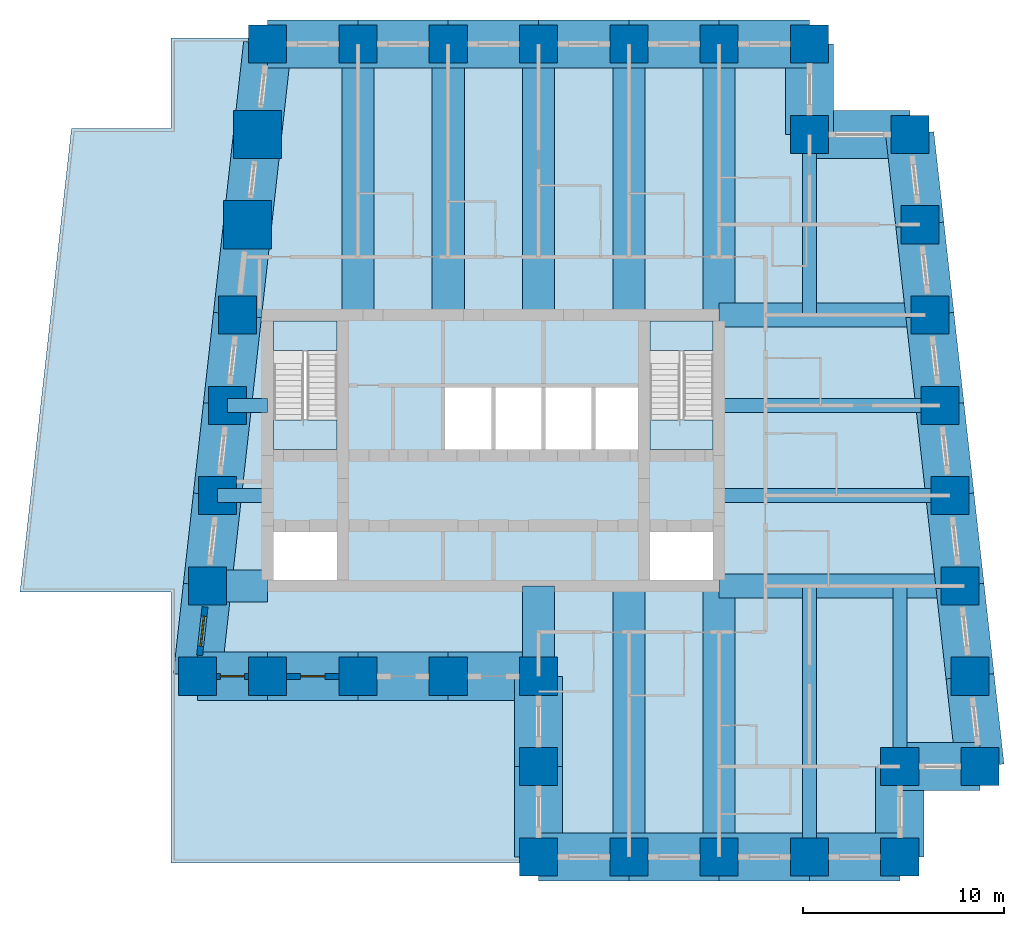
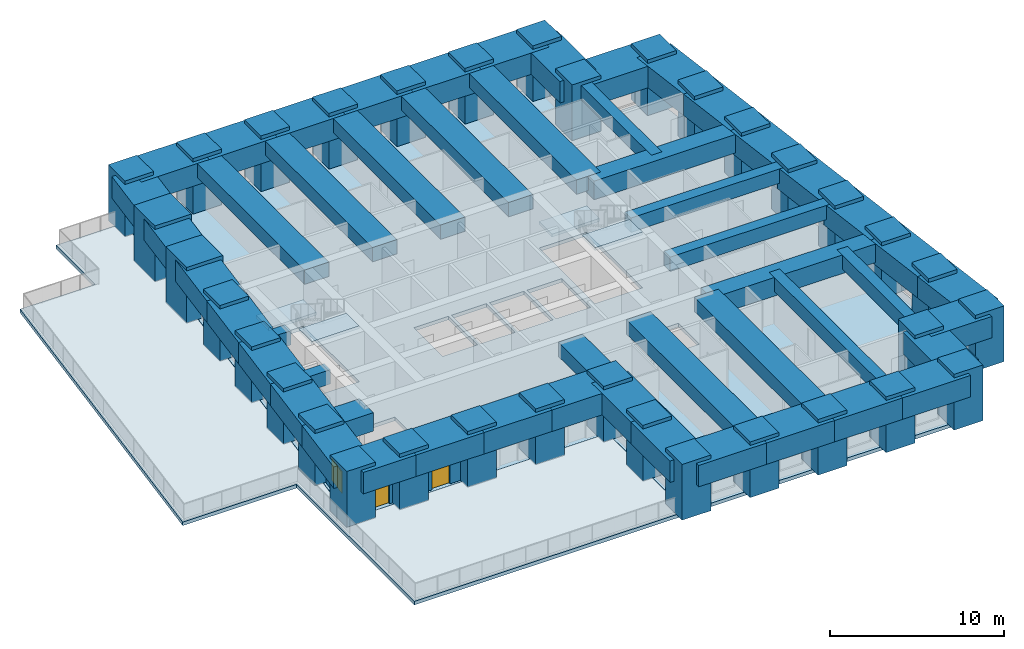
# One storey, part 1 of 7: 52 beams, 34 columns, 6 slabs, 3 walls, 2 doors, 1 window, 3 openings, 2 elements without a shape of their own.
"""IFC4 building model written with IfcOpenShell, lengths in metres."""

from ifc_helpers import new_model, si_unit, direction, frame, frame_2d, origin, origin_2d, place, context, subcontext, project, spatial, polyline, rectangle, outline, extrude, material, layer, layer_set, material_profile, profile_set, type_object, element, fill, aggregate, save


model = new_model("IFC4")

# Units and contexts
model_context = context("Model", 3, precision=1e-05, world=origin(), true_north=direction((0.0, 1.0)))
body_context = subcontext(model_context, "Body", "Model", "MODEL_VIEW")
ifc_project = project(units=[si_unit("LENGTHUNIT", "METRE"), si_unit("AREAUNIT", "SQUARE_METRE"), si_unit("VOLUMEUNIT", "CUBIC_METRE"), si_unit("PLANEANGLEUNIT", "RADIAN"), si_unit("MASSUNIT", "GRAM", prefix="KILO")], contexts=[model_context])

# Site, building, storey
site_placement = place(None, origin())
site = spatial("IfcSite", under=ifc_project, at=site_placement, CompositionType="ELEMENT")
building_placement = place(site_placement, origin())
building = spatial("IfcBuilding", under=site, at=building_placement, Name="Kilele Tower Hotel", CompositionType="ELEMENT")
storey_placement = place(building_placement, frame((0.0, 0.0, 217.39990234375)))
storey = spatial("IfcBuildingStorey", under=building, at=storey_placement, Name="L56", CompositionType="ELEMENT", Elevation=217.39990234375)

# Columns
ifc_material_1 = material(Name="Concrete C60/75", Category="concrete")
ifc_material_profile_1 = material_profile(ifc_material_1, rectangle(XDim=1.89990234375, YDim=1.89990234375, at=origin_2d()))
ifc_profile_set_1 = profile_set([ifc_material_profile_1], Name="Concrete C60/75")
column_type_1 = type_object("IfcColumnType", Name="Tube column RC 1900x1900 C60/75", PredefinedType="COLUMN", material=ifc_profile_set_1)
for number, where, z_axis, x_axis, name in (
    (1, (10.0, 9.0, 0.0), (0.0, 0.0, 1.0), (1.0, 0.0, 0.0), "Column TC3 L56"),
    (2, (13.5, 9.0, 0.0), (0.0, 0.0, 1.0), (1.0, 0.0, 0.0), "Column TC3 L56"),
    (3, (18.0, 9.0, 0.0), (0.0, 0.0, 1.0), (1.0, 0.0, 0.0), "Column TC3 L56"),
    (4, (22.5, 9.0, 0.0), (0.0, 0.0, 1.0), (1.0, 0.0, 0.0), "Column TC3 L56"),
    (5, (27.0, 9.0, 0.0), (0.0, 0.0, 1.0), (1.0, 0.0, 0.0), "Column TC3 L56"),
    (6, (27.0, 4.5, 0.0), (0.0, 0.0, 1.0), (1.0, 0.0, 0.0), "Column TC3 L56"),
    (7, (27.0, 0.0, 0.0), (0.0, 0.0, 1.0), (1.0, 0.0, 0.0), "Column TC3 L56"),
    (8, (31.5, 0.0, 0.0), (0.0, 0.0, 1.0), (1.0, 0.0, 0.0), "Column TC3 L56"),
    (9, (36.0, 0.0, 0.0), (0.0, 0.0, 1.0), (1.0, 0.0, 0.0), "Column TC3 L56"),
    (10, (40.5, 0.0, 0.0), (0.0, 0.0, 1.0), (1.0, 0.0, 0.0), "Column TC3 L56"),
    (11, (45.0, 0.0, 0.0), (0.0, 0.0, 1.0), (1.0, 0.0, 0.0), "Column TC3 L56"),
    (12, (45.0, 4.5, 0.0), (0.0, 0.0, 1.0), (1.0, 0.0, 0.0), "Column TC3 L56"),
    (13, (49.0, 4.5, 0.0), (0.0, 0.0, 1.0), (1.0, 0.0, 0.0), "Column TC3 L56"),
    (14, (48.5, 9.0, 0.0), (0.0, 0.0, 1.0), (1.0, 0.0, 0.0), "Column TC3 L56"),
    (15, (48.0, 13.5, 0.0), (0.0, 0.0, 1.0), (1.0, 0.0, 0.0), "Column TC3 L56"),
    (16, (47.5, 18.0, 0.0), (0.0, 0.0, 1.0), (1.0, 0.0, 0.0), "Column TC3 L56"),
    (17, (47.0, 22.5, 0.0), (0.0, 0.0, 1.0), (1.0, 0.0, 0.0), "Column TC3 L56"),
    (18, (46.5, 27.0, 0.0), (0.0, 0.0, 1.0), (1.0, 0.0, 0.0), "Column TC3 L56"),
    (19, (46.0, 31.5, 0.0), (0.0, 0.0, 1.0), (1.0, 0.0, 0.0), "Column TC3 L56"),
    (20, (45.5, 36.0, 0.0), (0.0, 0.0, 1.0), (1.0, 0.0, 0.0), "Column TC3 L56"),
    (21, (40.5, 36.0, 0.0), (0.0, 0.0, 1.0), (1.0, 0.0, 0.0), "Column TC3 L56"),
    (22, (40.5, 40.5, 0.0), (0.0, 0.0, 1.0), (1.0, 0.0, 0.0), "Column TC3 L56"),
    (23, (36.0, 40.5, 0.0), (0.0, 0.0, 1.0), (1.0, 0.0, 0.0), "Column TC3 L56"),
    (24, (31.5, 40.5, 0.0), (0.0, 0.0, 1.0), (1.0, 0.0, 0.0), "Column TC3 L56"),
    (25, (27.0, 40.5, 0.0), (0.0, 0.0, 1.0), (1.0, 0.0, 0.0), "Column TC3 L56"),
    (26, (22.5, 40.5, 0.0), (0.0, 0.0, 1.0), (1.0, 0.0, 0.0), "Column TC3 L56"),
    (27, (18.0, 40.5, 0.0), (0.0, 0.0, 1.0), (1.0, 0.0, 0.0), "Column TC3 L56"),
    (28, (13.5, 40.5, 0.0), (0.0, 0.0, 1.0), (1.0, 0.0, 0.0), "Column TC3 L56"),
    (29, (12.0, 27.0, 0.0), (0.0, 0.0, 1.0), (1.0, 0.0, 0.0), "Column TC3 L56"),
    (30, (11.5, 22.5, 0.0), (0.0, 0.0, 1.0), (1.0, 0.0, 0.0), "Column TC3 L56"),
    (31, (11.0, 18.0, 0.0), (0.0, 0.0, 1.0), (1.0, 0.0, 0.0), "Column TC3 L56"),
    (32, (10.5, 13.5, 0.0), (0.0, 0.0, 1.0), (1.0, 0.0, 0.0), "Column TC3 L56"),
):
    element("IfcColumn", number, at=place(storey_placement, frame(where, z_axis=z_axis, x_axis=x_axis)), inside=storey, type_object=column_type_1, Name=name, PredefinedType="COLUMN", context=body_context, shape_type="SweptSolid", body=[
        extrude(rectangle(XDim=1.89990234375, YDim=1.89990234375, at=origin_2d()), origin(), (0.0, 0.0, 1.0), 3.900146484375),
    ])
ifc_material_2 = material(Name="Concrete C60/75", Category="concrete")
ifc_material_profile_2 = material_profile(ifc_material_2, rectangle(XDim=2.39990234375, YDim=2.39990234375, at=origin_2d()))
ifc_profile_set_2 = profile_set([ifc_material_profile_2], Name="Concrete C60/75")
column_type_2 = type_object("IfcColumnType", Name="Tube column RC 2400x2400 C60/75", PredefinedType="COLUMN", material=ifc_profile_set_2)
for number, where, z_axis, x_axis, name in (
    (33, (13.0, 36.0, 0.0), (0.0, 0.0, 1.0), (1.0, 0.0, 0.0), "Column TC13 L56"),
    (34, (12.5, 31.5, 0.0), (0.0, 0.0, 1.0), (1.0, 0.0, 0.0), "Column TC13 L56"),
):
    element("IfcColumn", number, at=place(storey_placement, frame(where, z_axis=z_axis, x_axis=x_axis)), inside=storey, type_object=column_type_2, Name=name, PredefinedType="COLUMN", context=body_context, shape_type="SweptSolid", body=[
        extrude(rectangle(XDim=2.39990234375, YDim=2.39990234375, at=origin_2d()), origin(), (0.0, 0.0, 1.0), 3.900146484375),
    ])

# Beams
ifc_material_3 = material(Name="Concrete C60/75", Category="concrete")
ifc_material_profile_3 = material_profile(ifc_material_3, rectangle(XDim=1.60009765625, YDim=1.0, at=origin_2d()))
ifc_profile_set_3 = profile_set([ifc_material_profile_3], Name="Concrete C60/75")
beam_type_1 = type_object("IfcBeamType", Name="Beam RC 1600x1000 C60/75", PredefinedType="BEAM", material=ifc_profile_set_3)
for number, where, z_axis, x_axis, name in (
    (35, (31.5, 0.0, 3.150146484375), (0.0, 1.0, 0.0), (-1.0, 0.0, 0.0), "Beam BC1 level L57"),
    (36, (36.0, 0.0, 3.150146484375), (0.0, 1.0, 0.0), (-1.0, 0.0, 0.0), "Beam BC1 level L57"),
    (37, (36.0, 40.5, 3.150146484375), (0.0, -1.0, 0.0), (1.0, 0.0, 0.0), "Beam BC1 level L57"),
    (38, (31.5, 40.5, 3.150146484375), (0.0, -1.0, 0.0), (1.0, 0.0, 0.0), "Beam BC1 level L57"),
    (39, (27.0, 40.5, 3.150146484375), (0.0, -1.0, 0.0), (1.0, 0.0, 0.0), "Beam BC1 level L57"),
    (40, (22.5, 40.5, 3.150146484375), (0.0, -1.0, 0.0), (1.0, 0.0, 0.0), "Beam BC1 level L57"),
    (41, (18.0, 40.5, 3.150146484375), (0.0, -1.0, 0.0), (1.0, 0.0, 0.0), "Beam BC1 level L57"),
):
    element("IfcBeam", number, at=place(storey_placement, frame(where, z_axis=z_axis, x_axis=x_axis)), inside=storey, type_object=beam_type_1, Name=name, PredefinedType="BEAM", context=body_context, shape_type="SweptSolid", body=[
        extrude(rectangle(XDim=1.60009765625, YDim=1.0, at=origin_2d()), origin(), (0.0, 0.0, 1.0), 13.5),
    ])
ifc_material_4 = material(Name="Concrete C60/75", Category="concrete")
ifc_material_profile_4 = material_profile(ifc_material_4, rectangle(XDim=1.60009765625, YDim=1.0, at=origin_2d()))
ifc_profile_set_4 = profile_set([ifc_material_profile_4], Name="Concrete C60/75")
beam_type_2 = type_object("IfcBeamType", Name="Beam RC 1600x1000 C60/75 short span over transfer", PredefinedType="BEAM", material=ifc_profile_set_4)
beam_1_placement = place(storey_placement, frame((27.0, 9.0, 3.150146484375), z_axis=(0.0, 1.0, 0.0), x_axis=(-1.0, 0.0, 0.0)))
element("IfcBeam", 42, at=beam_1_placement, inside=storey, type_object=beam_type_2, Name="Beam BC3 level L57", PredefinedType="BEAM", context=body_context, shape_type="SweptSolid", body=[
    extrude(rectangle(XDim=1.60009765625, YDim=1.0, at=origin_2d()), origin(), (0.0, 0.0, 1.0), 4.5),
])
ifc_material_5 = material(Name="Concrete C60/75", Category="concrete")
ifc_material_profile_5 = material_profile(ifc_material_5, rectangle(XDim=0.699951171875, YDim=1.0, at=origin_2d()))
ifc_profile_set_5 = profile_set([ifc_material_profile_5], Name="Concrete C60/75")
beam_type_3 = type_object("IfcBeamType", Name="Beam RC 700x1000 C60/75", PredefinedType="BEAM", material=ifc_profile_set_5)
beam_2_placement = place(storey_placement, frame((40.5, 0.0, 3.150146484375), z_axis=(0.0, 1.0, 0.0), x_axis=(-1.0, 0.0, 0.0)))
element("IfcBeam", 43, at=beam_2_placement, inside=storey, type_object=beam_type_3, Name="Beam B4 level L57", PredefinedType="BEAM", context=body_context, shape_type="SweptSolid", body=[
    extrude(rectangle(XDim=0.699951171875, YDim=1.0, at=origin_2d()), origin(), (0.0, 0.0, 1.0), 13.5),
])
ifc_material_6 = material(Name="Concrete C60/75", Category="concrete")
ifc_material_profile_6 = material_profile(ifc_material_6, rectangle(XDim=0.699951171875, YDim=1.0, at=origin_2d()))
ifc_profile_set_6 = profile_set([ifc_material_profile_6], Name="Concrete C60/75")
beam_type_4 = type_object("IfcBeamType", Name="Beam RC 700x1000 C60/75 mid span", PredefinedType="BEAM", material=ifc_profile_set_6)
beam_3_placement = place(storey_placement, frame((45.0, 4.5, 3.150146484375), z_axis=(0.0, 1.0, 0.0), x_axis=(-1.0, 0.0, 0.0)))
element("IfcBeam", 44, at=beam_3_placement, inside=storey, type_object=beam_type_4, Name="Beam B5 level L57", PredefinedType="BEAM", context=body_context, shape_type="SweptSolid", body=[
    extrude(rectangle(XDim=0.699951171875, YDim=1.0, at=origin_2d()), origin(), (0.0, 0.0, 1.0), 9.0),
])
beam_4_placement = place(storey_placement, frame((47.5, 18.0, 3.150146484375), z_axis=(-1.0, 0.0, 0.0), x_axis=(0.0, -1.0, 0.0)))
element("IfcBeam", 45, at=beam_4_placement, inside=storey, type_object=beam_type_4, Name="Beam B5 level L57", PredefinedType="BEAM", context=body_context, shape_type="SweptSolid", body=[
    extrude(rectangle(XDim=0.699951171875, YDim=1.0, at=origin_2d()), origin(), (0.0, 0.0, 1.0), 11.5),
])
beam_5_placement = place(storey_placement, frame((47.0, 22.5, 3.150146484375), z_axis=(-1.0, 0.0, 0.0), x_axis=(0.0, -1.0, 0.0)))
element("IfcBeam", 46, at=beam_5_placement, inside=storey, type_object=beam_type_4, Name="Beam B5 level L57", PredefinedType="BEAM", context=body_context, shape_type="SweptSolid", body=[
    extrude(rectangle(XDim=0.699951171875, YDim=1.0, at=origin_2d()), origin(), (0.0, 0.0, 1.0), 11.0),
])
beam_6_placement = place(storey_placement, frame((40.5, 36.0, 3.150146484375), z_axis=(0.0, -1.0, 0.0), x_axis=(1.0, 0.0, 0.0)))
element("IfcBeam", 47, at=beam_6_placement, inside=storey, type_object=beam_type_4, Name="Beam B5 level L57", PredefinedType="BEAM", context=body_context, shape_type="SweptSolid", body=[
    extrude(rectangle(XDim=0.699951171875, YDim=1.0, at=origin_2d()), origin(), (0.0, 0.0, 1.0), 9.0),
])
ifc_material_7 = material(Name="Concrete C60/75", Category="concrete")
ifc_material_profile_7 = material_profile(ifc_material_7, rectangle(XDim=0.699951171875, YDim=1.0, at=origin_2d()))
ifc_profile_set_7 = profile_set([ifc_material_profile_7], Name="Concrete C60/75")
beam_type_5 = type_object("IfcBeamType", Name="Beam RC 700x1000 C60/75 short span over transfer", PredefinedType="BEAM", material=ifc_profile_set_7)
beam_7_placement = place(storey_placement, frame((11.5, 22.5, 3.150146484375), z_axis=(1.0, 0.0, 0.0), x_axis=(0.0, 1.0, 0.0)))
element("IfcBeam", 48, at=beam_7_placement, inside=storey, type_object=beam_type_5, Name="Beam B7 level L57", PredefinedType="BEAM", context=body_context, shape_type="SweptSolid", body=[
    extrude(rectangle(XDim=0.699951171875, YDim=1.0, at=origin_2d()), origin(), (0.0, 0.0, 1.0), 2.0),
])
beam_8_placement = place(storey_placement, frame((11.0, 18.0, 3.150146484375), z_axis=(1.0, 0.0, 0.0), x_axis=(0.0, 1.0, 0.0)))
element("IfcBeam", 49, at=beam_8_placement, inside=storey, type_object=beam_type_5, Name="Beam B7 level L57", PredefinedType="BEAM", context=body_context, shape_type="SweptSolid", body=[
    extrude(rectangle(XDim=0.699951171875, YDim=1.0, at=origin_2d()), origin(), (0.0, 0.0, 1.0), 2.5),
])
ifc_material_8 = material(Name="Concrete C60/75", Category="concrete")
ifc_material_profile_8 = material_profile(ifc_material_8, rectangle(XDim=1.60009765625, YDim=1.300048828125, at=origin_2d()))
ifc_profile_set_8 = profile_set([ifc_material_profile_8], Name="Concrete C60/75")
beam_type_6 = type_object("IfcBeamType", Name="Coupling girder RC 1600x1300 C60/75", PredefinedType="BEAM", material=ifc_profile_set_8)
beam_9_placement = place(storey_placement, frame((10.5, 13.5, 3.0), z_axis=(1.0, 0.0, 0.0), x_axis=(0.0, 1.0, 0.0)))
element("IfcBeam", 50, at=beam_9_placement, inside=storey, type_object=beam_type_6, Name="Coupling girder G2 level L57", PredefinedType="BEAM", context=body_context, shape_type="SweptSolid", body=[
    extrude(rectangle(XDim=1.60009765625, YDim=1.300048828125, at=origin_2d()), origin(), (0.0, 0.0, 1.0), 3.0),
])
ifc_material_9 = material(Name="Concrete C60/75", Category="concrete")
ifc_material_profile_9 = material_profile(ifc_material_9, rectangle(XDim=1.199951171875, YDim=1.300048828125, at=origin_2d()))
ifc_profile_set_9 = profile_set([ifc_material_profile_9], Name="Concrete C60/75")
beam_type_7 = type_object("IfcBeamType", Name="Girder RC 1200x1300 C60/75", PredefinedType="BEAM", material=ifc_profile_set_9)
beam_10_placement = place(storey_placement, frame((48.0, 13.5, 3.0), z_axis=(-1.0, 0.0, 0.0), x_axis=(0.0, -1.0, 0.0)))
element("IfcBeam", 51, at=beam_10_placement, inside=storey, type_object=beam_type_7, Name="Girder G1 level L57", PredefinedType="BEAM", context=body_context, shape_type="SweptSolid", body=[
    extrude(rectangle(XDim=1.199951171875, YDim=1.300048828125, at=origin_2d()), origin(), (0.0, 0.0, 1.0), 12.0),
])
ifc_material_10 = material(Name="Concrete C60/75", Category="concrete")
ifc_material_profile_10 = material_profile(ifc_material_10, rectangle(XDim=1.199951171875, YDim=1.300048828125, at=origin_2d()))
ifc_profile_set_10 = profile_set([ifc_material_profile_10], Name="Concrete C60/75")
beam_type_8 = type_object("IfcBeamType", Name="Girder RC 1200x1300 C60/75 mid span", PredefinedType="BEAM", material=ifc_profile_set_10)
beam_11_placement = place(storey_placement, frame((46.5, 27.0, 3.0), z_axis=(-1.0, 0.0, 0.0), x_axis=(0.0, -1.0, 0.0)))
element("IfcBeam", 52, at=beam_11_placement, inside=storey, type_object=beam_type_8, Name="Girder G3 level L57", PredefinedType="BEAM", context=body_context, shape_type="SweptSolid", body=[
    extrude(rectangle(XDim=1.199951171875, YDim=1.300048828125, at=origin_2d()), origin(), (0.0, 0.0, 1.0), 10.5),
])
ifc_material_11 = material(Name="Concrete C60/75", Category="concrete")
ifc_material_profile_11 = material_profile(ifc_material_11, rectangle(XDim=2.39990234375, YDim=1.5, at=origin_2d()))
ifc_profile_set_11 = profile_set([ifc_material_profile_11], Name="Concrete C60/75")
beam_type_9 = type_object("IfcBeamType", Name="Spandrel RC 2400x1500 C60/75", PredefinedType="SPANDREL", material=ifc_profile_set_11)
beam_12_placement = place(storey_placement, frame((10.0, 9.0, 2.900146484375), z_axis=(1.0, 0.0, 0.0), x_axis=(0.0, 1.0, 0.0)))
element("IfcBeam", 53, at=beam_12_placement, inside=storey, type_object=beam_type_9, Name="Spandrel SP14 level L57", PredefinedType="SPANDREL", context=body_context, shape_type="SweptSolid", body=[
    extrude(rectangle(XDim=2.39990234375, YDim=1.5, at=origin_2d()), origin(), (0.0, 0.0, 1.0), 3.5),
])
for number, where, z_axis, x_axis, name in (
    (54, (13.5, 9.0, 2.900146484375), (1.0, 0.0, 0.0), (0.0, 1.0, 0.0), "Spandrel SP14 level L57"),
    (55, (18.0, 9.0, 2.900146484375), (1.0, 0.0, 0.0), (0.0, 1.0, 0.0), "Spandrel SP14 level L57"),
    (56, (22.5, 9.0, 2.900146484375), (1.0, 0.0, 0.0), (0.0, 1.0, 0.0), "Spandrel SP14 level L57"),
    (57, (27.0, 9.0, 2.900146484375), (0.0, -1.0, 0.0), (1.0, 0.0, 0.0), "Spandrel SP14 level L57"),
    (58, (27.0, 4.5, 2.900146484375), (0.0, -1.0, 0.0), (1.0, 0.0, 0.0), "Spandrel SP14 level L57"),
    (59, (27.0, 0.0, 2.900146484375), (1.0, 0.0, 0.0), (0.0, 1.0, 0.0), "Spandrel SP14 level L57"),
    (60, (31.5, 0.0, 2.900146484375), (1.0, 0.0, 0.0), (0.0, 1.0, 0.0), "Spandrel SP14 level L57"),
    (61, (36.0, 0.0, 2.900146484375), (1.0, 0.0, 0.0), (0.0, 1.0, 0.0), "Spandrel SP14 level L57"),
    (62, (40.5, 0.0, 2.900146484375), (1.0, 0.0, 0.0), (0.0, 1.0, 0.0), "Spandrel SP14 level L57"),
    (63, (45.0, 0.0, 2.900146484375), (0.0, 1.0, 0.0), (-1.0, 0.0, 0.0), "Spandrel SP14 level L57"),
):
    element("IfcBeam", number, at=place(storey_placement, frame(where, z_axis=z_axis, x_axis=x_axis)), inside=storey, type_object=beam_type_9, Name=name, PredefinedType="SPANDREL", context=body_context, shape_type="SweptSolid", body=[
        extrude(rectangle(XDim=2.39990234375, YDim=1.5, at=origin_2d()), origin(), (0.0, 0.0, 1.0), 4.5),
    ])
beam_13_placement = place(storey_placement, frame((45.0, 4.5, 2.900146484375), z_axis=(1.0, 0.0, 0.0), x_axis=(0.0, 1.0, 0.0)))
element("IfcBeam", 64, at=beam_13_placement, inside=storey, type_object=beam_type_9, Name="Spandrel SP14 level L57", PredefinedType="SPANDREL", context=body_context, shape_type="SweptSolid", body=[
    extrude(rectangle(XDim=2.39990234375, YDim=1.5, at=origin_2d()), origin(), (0.0, 0.0, 1.0), 4.0),
])
for number, where, z_axis, x_axis, name in (
    (65, (49.0, 4.5, 2.900146484375), (-0.110431526075, 0.993883734674, 0.0), (-0.993883734674, -0.110431526075, 0.0), "Spandrel SP14 level L57"),
    (66, (48.5, 9.0, 2.900146484375), (-0.110431526075, 0.993883734674, 0.0), (-0.993883734674, -0.110431526075, 0.0), "Spandrel SP14 level L57"),
    (67, (48.0, 13.5, 2.900146484375), (-0.110431526075, 0.993883734674, 0.0), (-0.993883734674, -0.110431526075, 0.0), "Spandrel SP14 level L57"),
    (68, (47.5, 18.0, 2.900146484375), (-0.110431526075, 0.993883734674, 0.0), (-0.993883734674, -0.110431526075, 0.0), "Spandrel SP14 level L57"),
    (69, (47.0, 22.5, 2.900146484375), (-0.110431526075, 0.993883734674, 0.0), (-0.993883734674, -0.110431526075, 0.0), "Spandrel SP14 level L57"),
    (70, (46.5, 27.0, 2.900146484375), (-0.110431526075, 0.993883734674, 0.0), (-0.993883734674, -0.110431526075, 0.0), "Spandrel SP14 level L57"),
    (71, (46.0, 31.5, 2.900146484375), (-0.110431526075, 0.993883734674, 0.0), (-0.993883734674, -0.110431526075, 0.0), "Spandrel SP14 level L57"),
):
    element("IfcBeam", number, at=place(storey_placement, frame(where, z_axis=z_axis, x_axis=x_axis)), inside=storey, type_object=beam_type_9, Name=name, PredefinedType="SPANDREL", context=body_context, shape_type="SweptSolid", body=[
        extrude(rectangle(XDim=2.39990234375, YDim=1.5, at=origin_2d()), origin(), (0.0, 0.0, 1.0), 4.527587890625),
    ])
beam_14_placement = place(storey_placement, frame((45.5, 36.0, 2.900146484375), z_axis=(-1.0, 0.0, 0.0), x_axis=(0.0, -1.0, 0.0)))
element("IfcBeam", 72, at=beam_14_placement, inside=storey, type_object=beam_type_9, Name="Spandrel SP14 level L57", PredefinedType="SPANDREL", context=body_context, shape_type="SweptSolid", body=[
    extrude(rectangle(XDim=2.39990234375, YDim=1.5, at=origin_2d()), origin(), (0.0, 0.0, 1.0), 5.0),
])
for number, where, z_axis, x_axis, name in (
    (73, (40.5, 36.0, 2.900146484375), (0.0, 1.0, 0.0), (-1.0, 0.0, 0.0), "Spandrel SP14 level L57"),
    (74, (40.5, 40.5, 2.900146484375), (-1.0, 0.0, 0.0), (0.0, -1.0, 0.0), "Spandrel SP14 level L57"),
    (75, (36.0, 40.5, 2.900146484375), (-1.0, 0.0, 0.0), (0.0, -1.0, 0.0), "Spandrel SP14 level L57"),
    (76, (31.5, 40.5, 2.900146484375), (-1.0, 0.0, 0.0), (0.0, -1.0, 0.0), "Spandrel SP14 level L57"),
    (77, (27.0, 40.5, 2.900146484375), (-1.0, 0.0, 0.0), (0.0, -1.0, 0.0), "Spandrel SP14 level L57"),
    (78, (22.5, 40.5, 2.900146484375), (-1.0, 0.0, 0.0), (0.0, -1.0, 0.0), "Spandrel SP14 level L57"),
    (79, (18.0, 40.5, 2.900146484375), (-1.0, 0.0, 0.0), (0.0, -1.0, 0.0), "Spandrel SP14 level L57"),
):
    element("IfcBeam", number, at=place(storey_placement, frame(where, z_axis=z_axis, x_axis=x_axis)), inside=storey, type_object=beam_type_9, Name=name, PredefinedType="SPANDREL", context=body_context, shape_type="SweptSolid", body=[
        extrude(rectangle(XDim=2.39990234375, YDim=1.5, at=origin_2d()), origin(), (0.0, 0.0, 1.0), 4.5),
    ])
for number, where, z_axis, x_axis, name in (
    (80, (13.5, 40.5, 2.900146484375), (-0.110431526075, -0.993883734674, 0.0), (0.993883734674, -0.110431526075, 0.0), "Spandrel SP14 level L57"),
    (81, (13.0, 36.0, 2.900146484375), (-0.110431526075, -0.993883734674, 0.0), (0.993883734674, -0.110431526075, 0.0), "Spandrel SP14 level L57"),
    (82, (12.5, 31.5, 2.900146484375), (-0.110431526075, -0.993883734674, 0.0), (0.993883734674, -0.110431526075, 0.0), "Spandrel SP14 level L57"),
    (83, (12.0, 27.0, 2.900146484375), (-0.110431526075, -0.993883734674, 0.0), (0.993883734674, -0.110431526075, 0.0), "Spandrel SP14 level L57"),
    (84, (11.5, 22.5, 2.900146484375), (-0.110431526075, -0.993883734674, 0.0), (0.993883734674, -0.110431526075, 0.0), "Spandrel SP14 level L57"),
    (85, (11.0, 18.0, 2.900146484375), (-0.110431526075, -0.993883734674, 0.0), (0.993883734674, -0.110431526075, 0.0), "Spandrel SP14 level L57"),
    (86, (10.5, 13.5, 2.900146484375), (-0.110431526075, -0.993883734674, 0.0), (0.993883734674, -0.110431526075, 0.0), "Spandrel SP14 level L57"),
):
    element("IfcBeam", number, at=place(storey_placement, frame(where, z_axis=z_axis, x_axis=x_axis)), inside=storey, type_object=beam_type_9, Name=name, PredefinedType="SPANDREL", context=body_context, shape_type="SweptSolid", body=[
        extrude(rectangle(XDim=2.39990234375, YDim=1.5, at=origin_2d()), origin(), (0.0, 0.0, 1.0), 4.527587890625),
    ])

# Slabs
ifc_material_12 = material(Name="Concrete C60/75", Category="concrete")
ifc_layer_1 = layer(ifc_material_12, 0.25)
ifc_layer_set_1 = layer_set([ifc_layer_1], Name="Concrete C60/75")
slab_type_1 = type_object("IfcSlabType", Name="Floor slab 250", PredefinedType="FLOOR", material=ifc_layer_set_1)
slab_1_placement = place(storey_placement, frame((0.0, 0.0, -0.25)))
element("IfcSlab", 87, at=slab_1_placement, inside=storey, type_object=slab_type_1, Name="Floor slab L56", PredefinedType="FLOOR", context=body_context, shape_type="SweptSolid", body=[
    extrude(outline(polyline([(40.800048828125, 36.300048828125), (45.7685546875, 36.300048828125), (49.335205078125, 4.199951171875), (45.300048828125, 4.199951171875), (45.300048828125, -0.300048828125), (26.699951171875, -0.300048828125), (26.699951171875, 8.699951171875), (9.664794921875, 8.699951171875), (13.2314453125, 40.800048828125), (40.800048828125, 40.800048828125), (40.800048828125, 36.300048828125)]), holes=[polyline([(16.949951171875, 16.199951171875), (13.800048828125, 16.199951171875), (13.800048828125, 13.800048828125), (16.949951171875, 13.800048828125), (16.949951171875, 16.199951171875)]), polyline([(35.699951171875, 16.199951171875), (32.550048828125, 16.199951171875), (32.550048828125, 13.800048828125), (35.699951171875, 13.800048828125), (35.699951171875, 16.199951171875)]), polyline([(24.64990234375, 23.39990234375), (22.35009765625, 23.39990234375), (22.35009765625, 20.10009765625), (24.64990234375, 20.10009765625), (24.64990234375, 23.39990234375)]), polyline([(27.14990234375, 23.39990234375), (24.85009765625, 23.39990234375), (24.85009765625, 20.10009765625), (27.14990234375, 20.10009765625), (27.14990234375, 23.39990234375)]), polyline([(29.64990234375, 23.39990234375), (27.35009765625, 23.39990234375), (27.35009765625, 20.10009765625), (29.64990234375, 20.10009765625), (29.64990234375, 23.39990234375)]), polyline([(32.14990234375, 23.39990234375), (29.85009765625, 23.39990234375), (29.85009765625, 20.10009765625), (32.14990234375, 20.10009765625), (32.14990234375, 23.39990234375)]), polyline([(16.949951171875, 26.699951171875), (13.800048828125, 26.699951171875), (13.800048828125, 20.300048828125), (16.949951171875, 20.300048828125), (16.949951171875, 26.699951171875)]), polyline([(35.699951171875, 26.699951171875), (32.550048828125, 26.699951171875), (32.550048828125, 20.300048828125), (35.699951171875, 20.300048828125), (35.699951171875, 26.699951171875)])]), origin(), (0.0, 0.0, 1.0), 0.25),
])
ifc_material_13 = material(Name="Concrete C60/75", Category="concrete")
ifc_layer_2 = layer(ifc_material_13, 0.25)
ifc_layer_set_2 = layer_set([ifc_layer_2], Name="Concrete C60/75")
slab_type_2 = type_object("IfcSlabType", Name="Roof slab 250", PredefinedType="ROOF", material=ifc_layer_set_2)
slab_2_placement = place(storey_placement, frame((0.0, 0.0, -0.25)))
element("IfcSlab", 88, at=slab_2_placement, inside=storey, type_object=slab_type_2, Name="Roof slab level L56", PredefinedType="ROOF", context=body_context, shape_type="SweptSolid", body=[
    extrude(outline(polyline([(3.7314453125, 36.300048828125), (8.699951171875, 36.300048828125), (8.699951171875, 40.800048828125), (13.23046875, 40.800048828125), (9.663818359375, 8.7001953125), (9.663818359375, 8.699951171875), (9.663818359375, 8.699951171875), (9.663818359375, 8.69970703125), (9.663818359375, 8.69970703125), (9.663818359375, 8.69970703125), (9.663818359375, 8.699462890625), (9.6640625, 8.699462890625), (9.6640625, 8.699462890625), (9.6640625, 8.69921875), (9.664306640625, 8.69921875), (9.664306640625, 8.69921875), (9.664306640625, 8.69921875), (9.664306640625, 8.69921875), (9.66455078125, 8.698974609375), (9.66455078125, 8.698974609375), (9.664794921875, 8.698974609375), (9.664794921875, 8.698974609375), (26.698974609375, 8.698974609375), (26.698974609375, -0.300048828125), (8.699951171875, -0.300048828125), (8.699951171875, 13.199951171875), (1.164794921875, 13.199951171875), (3.7314453125, 36.300048828125)])), origin(), (0.0, 0.0, 1.0), 0.25),
])

# Stair, slabs
ifc_material_14 = material(Name="Precast concrete C40/50", Category="concrete")
stair_type = type_object("IfcStairType", Name="Stair 1475 x 3900", PredefinedType="HALF_TURN_STAIR", material=ifc_material_14)
stair_1_placement = place(storey_placement, origin())
stair_1 = element("IfcStair", 89, at=stair_1_placement, inside=storey, type_object=stair_type, Name="Stair 1 L56", PredefinedType="HALF_TURN_STAIR")
ifc_material_15 = material(Name="Precast concrete C40/50", Category="concrete")
ifc_layer_3 = layer(ifc_material_15, 0.199951171875)
ifc_layer_set_3 = layer_set([ifc_layer_3], Name="Precast concrete C40/50")
slab_type_3 = type_object("IfcSlabType", Name="Stair landing 200", PredefinedType="LANDING", material=ifc_layer_set_3)
slab_3_placement = place(storey_placement, frame((0.0, 0.0, 1.665283203125)))
slab_3 = element("IfcSlab", 90, at=slab_3_placement, type_object=slab_type_3, Name="ST1 landing 1", PredefinedType="LANDING", context=body_context, shape_type="SweptSolid", body=[
    extrude(outline(polyline([(13.800048828125, 25.22509765625), (16.949951171875, 25.22509765625), (16.949951171875, 26.699951171875), (13.800048828125, 26.699951171875), (13.800048828125, 25.22509765625)])), origin(), (0.0, 0.0, 1.0), 0.199951171875),
])
slab_4_placement = place(storey_placement, frame((0.0, 0.0, 3.7001953125)))
slab_4 = element("IfcSlab", 91, at=slab_4_placement, type_object=slab_type_3, Name="ST1 landing 2", PredefinedType="LANDING", context=body_context, shape_type="SweptSolid", body=[
    extrude(outline(polyline([(13.800048828125, 20.300048828125), (16.949951171875, 20.300048828125), (16.949951171875, 21.77490234375), (13.800048828125, 21.77490234375), (13.800048828125, 20.300048828125)])), origin(), (0.0, 0.0, 1.0), 0.199951171875),
])
aggregate(stair_1, [slab_3, slab_4])

stair_2_placement = place(storey_placement, origin())
stair_2 = element("IfcStair", 92, at=stair_2_placement, inside=storey, type_object=stair_type, Name="Stair 2 L56", PredefinedType="HALF_TURN_STAIR")
slab_5_placement = place(storey_placement, frame((0.0, 0.0, 1.665283203125)))
slab_5 = element("IfcSlab", 93, at=slab_5_placement, type_object=slab_type_3, Name="ST2 landing 1", PredefinedType="LANDING", context=body_context, shape_type="SweptSolid", body=[
    extrude(outline(polyline([(32.550048828125, 25.22509765625), (35.699951171875, 25.22509765625), (35.699951171875, 26.699951171875), (32.550048828125, 26.699951171875), (32.550048828125, 25.22509765625)])), origin(), (0.0, 0.0, 1.0), 0.199951171875),
])
slab_6_placement = place(storey_placement, frame((0.0, 0.0, 3.7001953125)))
slab_6 = element("IfcSlab", 94, at=slab_6_placement, type_object=slab_type_3, Name="ST2 landing 2", PredefinedType="LANDING", context=body_context, shape_type="SweptSolid", body=[
    extrude(outline(polyline([(32.550048828125, 20.300048828125), (35.699951171875, 20.300048828125), (35.699951171875, 21.77490234375), (32.550048828125, 21.77490234375), (32.550048828125, 20.300048828125)])), origin(), (0.0, 0.0, 1.0), 0.199951171875),
])
aggregate(stair_2, [slab_5, slab_6])

# Wall, opening, door
ifc_material_16 = material(Name="Concrete C40/50 precast", Category="concrete")
ifc_layer_4 = layer(ifc_material_16, 0.260009765625, Name="Precast backing", Category="LoadBearing")
ifc_material_17 = material(Name="Reconstituted stone finish", Category="masonry")
ifc_layer_5 = layer(ifc_material_17, 0.0400390625, Name="Face mix", Category="Finish")
ifc_layer_set_4 = layer_set([ifc_layer_4, ifc_layer_5], Name="Precast concrete C40/50, reconstituted stone finish")
wall_type = type_object("IfcWallType", Name="Precast stone facade wall 300", PredefinedType="STANDARD", material=ifc_layer_set_4)
wall_1_placement = place(storey_placement, frame((10.949951171875, 9.0, 0.0), z_axis=(0.0, 0.0, 1.0), x_axis=(1.0, 0.0, 0.0)))
wall_1 = element("IfcWall", 95, at=wall_1_placement, inside=storey, type_object=wall_type, Name="Facade wall L56 edge 1 bay 1", PredefinedType="STANDARD", context=body_context, shape_type="SweptSolid", body=[
    extrude(rectangle(XDim=1.60009765625, YDim=0.300048828125, at=frame_2d((0.800048828125, 0.0))), origin(), (0.0, 0.0, 1.0), 2.150146484375),
])
opening_1_placement = place(wall_1_placement, frame((0.199951171875, 0.0, 0.0)))
opening_1 = element("IfcOpeningElement", 96, at=opening_1_placement, cuts=wall_1, Name="Opening TD3", PredefinedType="OPENING", context=body_context, shape_type="SweptSolid", body=[
    extrude(rectangle(XDim=1.199951171875, YDim=2.0, at=frame_2d((0.60009765625, 1.0))), frame((0.0, 0.159912109375, 0.0), z_axis=(0.0, -1.0, 0.0), x_axis=(1.0, 0.0, 0.0)), (0.0, 0.0, 1.0), 0.320068359375),
])
ifc_material_18 = material(Name="Aluminium frame, clear glazing", Category="aluminium")
door_type = type_object("IfcDoorType", Name="Terrace door 1200 x 2000", OperationType="SINGLE_SWING_LEFT", PredefinedType="DOOR", material=ifc_material_18)
door_1_placement = place(opening_1_placement, origin())
door_1 = element("IfcDoor", 97, at=door_1_placement, inside=storey, type_object=door_type, Name="Terrace door L56", OperationType="SINGLE_SWING_LEFT", OverallHeight=2.0, OverallWidth=1.199951171875, PredefinedType="DOOR", context=body_context, shape_type="SweptSolid", body=[
    extrude(rectangle(XDim=1.199951171875, YDim=2.0, at=frame_2d((0.60009765625, 1.0))), frame((0.0, 0.02490234375, 0.0), z_axis=(0.0, -1.0, 0.0), x_axis=(1.0, 0.0, 0.0)), (0.0, 0.0, 1.0), 0.050048828125),
])
fill(opening_1, door_1)

wall_2_placement = place(storey_placement, frame((14.449951171875, 9.0, 0.0), z_axis=(0.0, 0.0, 1.0), x_axis=(1.0, 0.0, 0.0)))
wall_2 = element("IfcWall", 98, at=wall_2_placement, inside=storey, type_object=wall_type, Name="Facade wall L56 edge 1 bay 2", PredefinedType="STANDARD", context=body_context, shape_type="SweptSolid", body=[
    extrude(rectangle(XDim=2.60009765625, YDim=0.300048828125, at=frame_2d((1.300048828125, 0.0))), origin(), (0.0, 0.0, 1.0), 2.150146484375),
])
opening_2_placement = place(wall_2_placement, frame((0.699951171875, 0.0, 0.0)))
opening_2 = element("IfcOpeningElement", 99, at=opening_2_placement, cuts=wall_2, Name="Opening TD3", PredefinedType="OPENING", context=body_context, shape_type="SweptSolid", body=[
    extrude(rectangle(XDim=1.199951171875, YDim=2.0, at=frame_2d((0.60009765625, 1.0))), frame((0.0, 0.159912109375, 0.0), z_axis=(0.0, -1.0, 0.0), x_axis=(1.0, 0.0, 0.0)), (0.0, 0.0, 1.0), 0.320068359375),
])
door_2_placement = place(opening_2_placement, origin())
door_2 = element("IfcDoor", 100, at=door_2_placement, inside=storey, type_object=door_type, Name="Terrace door L56", OperationType="SINGLE_SWING_LEFT", OverallHeight=2.0, OverallWidth=1.199951171875, PredefinedType="DOOR", context=body_context, shape_type="SweptSolid", body=[
    extrude(rectangle(XDim=1.199951171875, YDim=2.0, at=frame_2d((0.60009765625, 1.0))), frame((0.0, 0.02490234375, 0.0), z_axis=(0.0, -1.0, 0.0), x_axis=(1.0, 0.0, 0.0)), (0.0, 0.0, 1.0), 0.050048828125),
])
fill(opening_2, door_2)

# Wall, opening, window
wall_3_placement = place(storey_placement, frame((10.384033203125, 12.457275390625, 0.0), z_axis=(0.0, 0.0, 1.0), x_axis=(-0.110343286306, -0.993893535127, 0.0)))
wall_3 = element("IfcWall", 101, at=wall_3_placement, inside=storey, type_object=wall_type, Name="Facade wall L56 edge 10 bay 7", PredefinedType="STANDARD", context=body_context, shape_type="SweptSolid", body=[
    extrude(rectangle(XDim=2.429443359375, YDim=0.300048828125, at=frame_2d((1.21484375, 0.0))), origin(), (0.0, 0.0, 1.0), 2.150146484375),
])
opening_3_placement = place(wall_3_placement, frame((0.464599609375, 0.0, 0.5)))
opening_3 = element("IfcOpeningElement", 102, at=opening_3_placement, cuts=wall_3, Name="Opening W4", PredefinedType="OPENING", context=body_context, shape_type="SweptSolid", body=[
    extrude(rectangle(XDim=1.5, YDim=1.5, at=frame_2d((0.75, 0.75))), frame((0.0, 0.159912109375, 0.0), z_axis=(0.0, -1.0, 0.0), x_axis=(1.0, 0.0, 0.0)), (0.0, 0.0, 1.0), 0.320068359375),
])
ifc_material_19 = material(Name="Aluminium frame, clear double glazing", Category="aluminium")
window_type = type_object("IfcWindowType", Name="Window W4 1500 x 1500", PartitioningType="SINGLE_PANEL", PredefinedType="WINDOW", material=ifc_material_19)
window_placement = place(opening_3_placement, origin())
window = element("IfcWindow", 103, at=window_placement, inside=storey, type_object=window_type, Name="Window L56", OverallHeight=1.5, OverallWidth=1.5, PartitioningType="SINGLE_PANEL", PredefinedType="WINDOW", context=body_context, shape_type="SweptSolid", body=[
    extrude(rectangle(XDim=1.5, YDim=1.5, at=frame_2d((0.75, 0.75))), frame((0.0, 0.030029296875, 0.0), z_axis=(0.0, -1.0, 0.0), x_axis=(1.0, 0.0, 0.0)), (0.0, 0.0, 1.0), 0.06005859375),
])
fill(opening_3, window)

save(model, "model.ifc")
